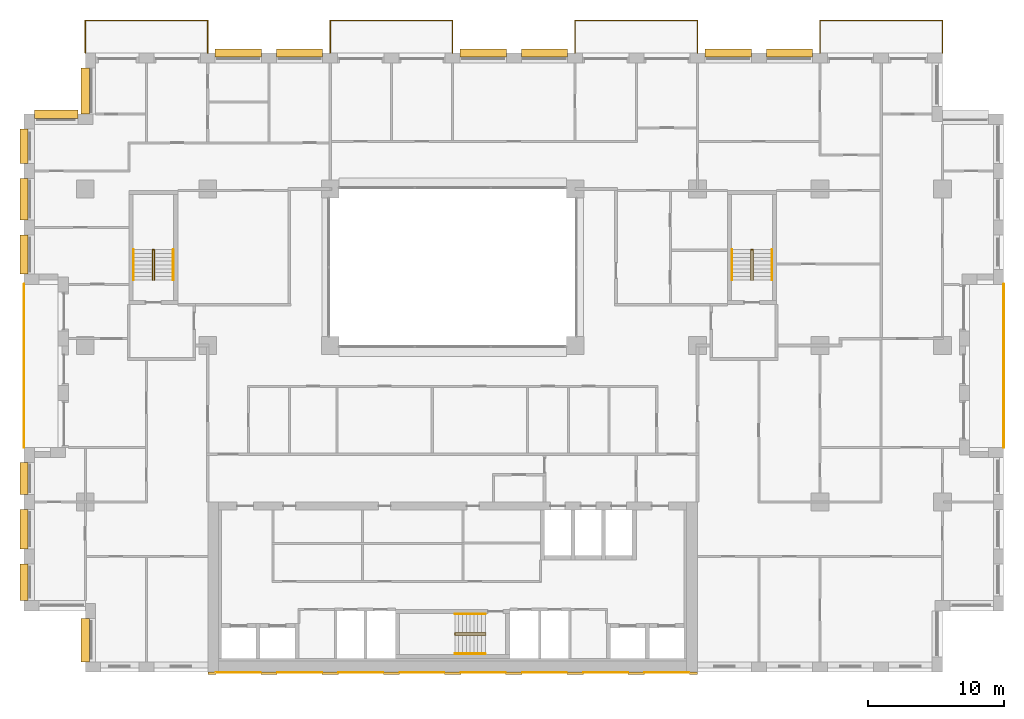
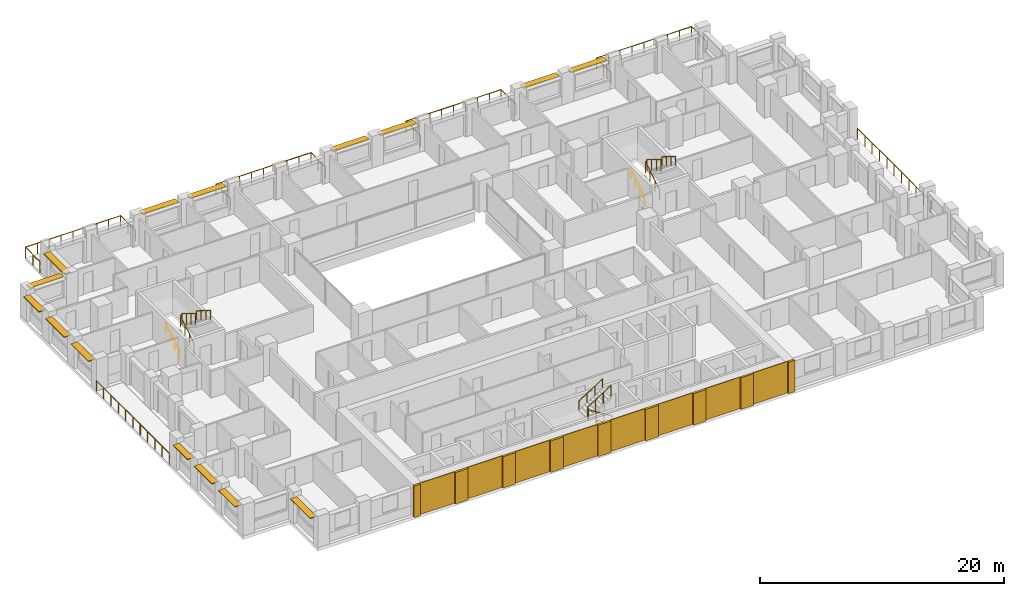
# One storey, part 16 of 17: 17 coverings, 15 railings, 15 shading devices.
"""IFC4 building model written with IfcOpenShell, lengths in metres."""

from ifc_helpers import new_model, si_unit, direction, frame, origin, origin_2d, place, context, subcontext, project, spatial, rectangle, circle, extrude, material, layer, layer_set, type_object, element, save


model = new_model("IFC4")

# Units and contexts
model_context = context("Model", 3, precision=1e-05, world=origin(), true_north=direction((0.0, 1.0)))
body_context = subcontext(model_context, "Body", "Model", "MODEL_VIEW")
ifc_project = project(units=[si_unit("LENGTHUNIT", "METRE"), si_unit("AREAUNIT", "SQUARE_METRE"), si_unit("VOLUMEUNIT", "CUBIC_METRE"), si_unit("PLANEANGLEUNIT", "RADIAN"), si_unit("MASSUNIT", "GRAM", prefix="KILO")], contexts=[model_context])

# Site, building, storey
site_placement = place(None, origin())
site = spatial("IfcSite", under=ifc_project, at=site_placement, CompositionType="ELEMENT")
building_placement = place(site_placement, origin())
building = spatial("IfcBuilding", under=site, at=building_placement, Name="Brigalow Station Residences", CompositionType="ELEMENT")
storey_placement = place(building_placement, frame((0.0, 0.0, 127.64990234375)))
storey = spatial("IfcBuildingStorey", under=building, at=storey_placement, Name="L37", CompositionType="ELEMENT", Elevation=127.64990234375)

# Railings
ifc_material_1 = material(Name="Stainless steel balustrade with laminated glass infill", Category="steel")
railing_type_1 = type_object("IfcRailingType", Name="BALCONY GUARD 1100", PredefinedType="GUARDRAIL", material=ifc_material_1)
railing_1_placement = place(storey_placement, frame((76.5, 16.5, -0.039794921875)))
element("IfcRailing", 1, at=railing_1_placement, inside=storey, type_object=railing_type_1, Name="L37/balcony-guard/1", PredefinedType="GUARDRAIL", context=body_context, shape_type="SweptSolid", body=[
    extrude(circle(Radius=0.02392578125, at=origin_2d()), frame((0.0, 0.0, 1.076171875), z_axis=(0.0, 1.0, 0.0), x_axis=(-1.0, 0.0, 0.0)), (0.0, 0.0, 1.0), 12.0),
    extrude(circle(Radius=0.02099609375, at=origin_2d()), origin(), (0.0, 0.0, 1.0), 1.052001953125),
    extrude(circle(Radius=0.02099609375, at=origin_2d()), frame((0.0, 1.199951171875, 0.0)), (0.0, 0.0, 1.0), 1.052001953125),
    extrude(circle(Radius=0.02099609375, at=origin_2d()), frame((0.0, 2.39990234375, 0.0)), (0.0, 0.0, 1.0), 1.052001953125),
    extrude(circle(Radius=0.02099609375, at=origin_2d()), frame((0.0, 3.60009765625, 0.0)), (0.0, 0.0, 1.0), 1.052001953125),
    extrude(circle(Radius=0.02099609375, at=origin_2d()), frame((0.0, 4.800048828125, 0.0)), (0.0, 0.0, 1.0), 1.052001953125),
    extrude(circle(Radius=0.02099609375, at=origin_2d()), frame((0.0, 6.0, 0.0)), (0.0, 0.0, 1.0), 1.052001953125),
    extrude(circle(Radius=0.02099609375, at=origin_2d()), frame((0.0, 7.199951171875, 0.0)), (0.0, 0.0, 1.0), 1.052001953125),
    extrude(circle(Radius=0.02099609375, at=origin_2d()), frame((0.0, 8.39990234375, 0.0)), (0.0, 0.0, 1.0), 1.052001953125),
    extrude(circle(Radius=0.02099609375, at=origin_2d()), frame((0.0, 9.60009765625, 0.0)), (0.0, 0.0, 1.0), 1.052001953125),
    extrude(circle(Radius=0.02099609375, at=origin_2d()), frame((0.0, 10.800048828125, 0.0)), (0.0, 0.0, 1.0), 1.052001953125),
    extrude(circle(Radius=0.02099609375, at=origin_2d()), frame((0.0, 12.0, 0.0)), (0.0, 0.0, 1.0), 1.052001953125),
])
railing_2_placement = place(storey_placement, frame((72.0, 45.5, -0.039794921875)))
element("IfcRailing", 2, at=railing_2_placement, inside=storey, type_object=railing_type_1, Name="L37/balcony-guard/2", PredefinedType="GUARDRAIL", context=body_context, shape_type="SweptSolid", body=[
    extrude(circle(Radius=0.02392578125, at=origin_2d()), frame((0.0, 0.0, 1.076171875), z_axis=(0.0, 1.0, 0.0), x_axis=(-1.0, 0.0, 0.0)), (0.0, 0.0, 1.0), 2.39990234375),
    extrude(circle(Radius=0.02392578125, at=origin_2d()), frame((0.0, 2.39990234375, 1.076171875), z_axis=(-1.0, 0.0, 0.0), x_axis=(0.0, -1.0, 0.0)), (0.0, 0.0, 1.0), 9.0),
    extrude(circle(Radius=0.02392578125, at=origin_2d()), frame((-9.0, 2.39990234375, 1.076171875), z_axis=(0.0, -1.0, 0.0), x_axis=(1.0, 0.0, 0.0)), (0.0, 0.0, 1.0), 2.39990234375),
    extrude(circle(Radius=0.02099609375, at=origin_2d()), origin(), (0.0, 0.0, 1.0), 1.052001953125),
    extrude(circle(Radius=0.02099609375, at=origin_2d()), frame((0.0, 1.199951171875, 0.0)), (0.0, 0.0, 1.0), 1.052001953125),
    extrude(circle(Radius=0.02099609375, at=origin_2d()), frame((0.0, 2.39990234375, 0.0)), (0.0, 0.0, 1.0), 1.052001953125),
    extrude(circle(Radius=0.02099609375, at=origin_2d()), frame((-1.125, 2.39990234375, 0.0)), (0.0, 0.0, 1.0), 1.052001953125),
    extrude(circle(Radius=0.02099609375, at=origin_2d()), frame((-2.25, 2.39990234375, 0.0)), (0.0, 0.0, 1.0), 1.052001953125),
    extrude(circle(Radius=0.02099609375, at=origin_2d()), frame((-3.375, 2.39990234375, 0.0)), (0.0, 0.0, 1.0), 1.052001953125),
    extrude(circle(Radius=0.02099609375, at=origin_2d()), frame((-4.5, 2.39990234375, 0.0)), (0.0, 0.0, 1.0), 1.052001953125),
    extrude(circle(Radius=0.02099609375, at=origin_2d()), frame((-5.625, 2.39990234375, 0.0)), (0.0, 0.0, 1.0), 1.052001953125),
    extrude(circle(Radius=0.02099609375, at=origin_2d()), frame((-6.75, 2.39990234375, 0.0)), (0.0, 0.0, 1.0), 1.052001953125),
    extrude(circle(Radius=0.02099609375, at=origin_2d()), frame((-7.875, 2.39990234375, 0.0)), (0.0, 0.0, 1.0), 1.052001953125),
    extrude(circle(Radius=0.02099609375, at=origin_2d()), frame((-9.0, 2.39990234375, 0.0)), (0.0, 0.0, 1.0), 1.052001953125),
    extrude(circle(Radius=0.02099609375, at=origin_2d()), frame((-9.0, 1.199951171875, 0.0)), (0.0, 0.0, 1.0), 1.052001953125),
    extrude(circle(Radius=0.02099609375, at=origin_2d()), frame((-9.0, 0.0, 0.0)), (0.0, 0.0, 1.0), 1.052001953125),
])
railing_3_placement = place(storey_placement, frame((54.0, 45.5, -0.039794921875)))
element("IfcRailing", 3, at=railing_3_placement, inside=storey, type_object=railing_type_1, Name="L37/balcony-guard/3", PredefinedType="GUARDRAIL", context=body_context, shape_type="SweptSolid", body=[
    extrude(circle(Radius=0.02392578125, at=origin_2d()), frame((0.0, 0.0, 1.076171875), z_axis=(0.0, 1.0, 0.0), x_axis=(-1.0, 0.0, 0.0)), (0.0, 0.0, 1.0), 2.39990234375),
    extrude(circle(Radius=0.02392578125, at=origin_2d()), frame((0.0, 2.39990234375, 1.076171875), z_axis=(-1.0, 0.0, 0.0), x_axis=(0.0, -1.0, 0.0)), (0.0, 0.0, 1.0), 9.0),
    extrude(circle(Radius=0.02392578125, at=origin_2d()), frame((-9.0, 2.39990234375, 1.076171875), z_axis=(0.0, -1.0, 0.0), x_axis=(1.0, 0.0, 0.0)), (0.0, 0.0, 1.0), 2.39990234375),
    extrude(circle(Radius=0.02099609375, at=origin_2d()), origin(), (0.0, 0.0, 1.0), 1.052001953125),
    extrude(circle(Radius=0.02099609375, at=origin_2d()), frame((0.0, 1.199951171875, 0.0)), (0.0, 0.0, 1.0), 1.052001953125),
    extrude(circle(Radius=0.02099609375, at=origin_2d()), frame((0.0, 2.39990234375, 0.0)), (0.0, 0.0, 1.0), 1.052001953125),
    extrude(circle(Radius=0.02099609375, at=origin_2d()), frame((-1.125, 2.39990234375, 0.0)), (0.0, 0.0, 1.0), 1.052001953125),
    extrude(circle(Radius=0.02099609375, at=origin_2d()), frame((-2.25, 2.39990234375, 0.0)), (0.0, 0.0, 1.0), 1.052001953125),
    extrude(circle(Radius=0.02099609375, at=origin_2d()), frame((-3.375, 2.39990234375, 0.0)), (0.0, 0.0, 1.0), 1.052001953125),
    extrude(circle(Radius=0.02099609375, at=origin_2d()), frame((-4.5, 2.39990234375, 0.0)), (0.0, 0.0, 1.0), 1.052001953125),
    extrude(circle(Radius=0.02099609375, at=origin_2d()), frame((-5.625, 2.39990234375, 0.0)), (0.0, 0.0, 1.0), 1.052001953125),
    extrude(circle(Radius=0.02099609375, at=origin_2d()), frame((-6.75, 2.39990234375, 0.0)), (0.0, 0.0, 1.0), 1.052001953125),
    extrude(circle(Radius=0.02099609375, at=origin_2d()), frame((-7.875, 2.39990234375, 0.0)), (0.0, 0.0, 1.0), 1.052001953125),
    extrude(circle(Radius=0.02099609375, at=origin_2d()), frame((-9.0, 2.39990234375, 0.0)), (0.0, 0.0, 1.0), 1.052001953125),
    extrude(circle(Radius=0.02099609375, at=origin_2d()), frame((-9.0, 1.199951171875, 0.0)), (0.0, 0.0, 1.0), 1.052001953125),
    extrude(circle(Radius=0.02099609375, at=origin_2d()), frame((-9.0, 0.0, 0.0)), (0.0, 0.0, 1.0), 1.052001953125),
])
railing_4_placement = place(storey_placement, frame((36.0, 45.5, -0.039794921875)))
element("IfcRailing", 4, at=railing_4_placement, inside=storey, type_object=railing_type_1, Name="L37/balcony-guard/4", PredefinedType="GUARDRAIL", context=body_context, shape_type="SweptSolid", body=[
    extrude(circle(Radius=0.02392578125, at=origin_2d()), frame((0.0, 0.0, 1.076171875), z_axis=(0.0, 1.0, 0.0), x_axis=(-1.0, 0.0, 0.0)), (0.0, 0.0, 1.0), 2.39990234375),
    extrude(circle(Radius=0.02392578125, at=origin_2d()), frame((0.0, 2.39990234375, 1.076171875), z_axis=(-1.0, 0.0, 0.0), x_axis=(0.0, -1.0, 0.0)), (0.0, 0.0, 1.0), 9.0),
    extrude(circle(Radius=0.02392578125, at=origin_2d()), frame((-9.0, 2.39990234375, 1.076171875), z_axis=(0.0, -1.0, 0.0), x_axis=(1.0, 0.0, 0.0)), (0.0, 0.0, 1.0), 2.39990234375),
    extrude(circle(Radius=0.02099609375, at=origin_2d()), origin(), (0.0, 0.0, 1.0), 1.052001953125),
    extrude(circle(Radius=0.02099609375, at=origin_2d()), frame((0.0, 1.199951171875, 0.0)), (0.0, 0.0, 1.0), 1.052001953125),
    extrude(circle(Radius=0.02099609375, at=origin_2d()), frame((0.0, 2.39990234375, 0.0)), (0.0, 0.0, 1.0), 1.052001953125),
    extrude(circle(Radius=0.02099609375, at=origin_2d()), frame((-1.125, 2.39990234375, 0.0)), (0.0, 0.0, 1.0), 1.052001953125),
    extrude(circle(Radius=0.02099609375, at=origin_2d()), frame((-2.25, 2.39990234375, 0.0)), (0.0, 0.0, 1.0), 1.052001953125),
    extrude(circle(Radius=0.02099609375, at=origin_2d()), frame((-3.375, 2.39990234375, 0.0)), (0.0, 0.0, 1.0), 1.052001953125),
    extrude(circle(Radius=0.02099609375, at=origin_2d()), frame((-4.5, 2.39990234375, 0.0)), (0.0, 0.0, 1.0), 1.052001953125),
    extrude(circle(Radius=0.02099609375, at=origin_2d()), frame((-5.625, 2.39990234375, 0.0)), (0.0, 0.0, 1.0), 1.052001953125),
    extrude(circle(Radius=0.02099609375, at=origin_2d()), frame((-6.75, 2.39990234375, 0.0)), (0.0, 0.0, 1.0), 1.052001953125),
    extrude(circle(Radius=0.02099609375, at=origin_2d()), frame((-7.875, 2.39990234375, 0.0)), (0.0, 0.0, 1.0), 1.052001953125),
    extrude(circle(Radius=0.02099609375, at=origin_2d()), frame((-9.0, 2.39990234375, 0.0)), (0.0, 0.0, 1.0), 1.052001953125),
    extrude(circle(Radius=0.02099609375, at=origin_2d()), frame((-9.0, 1.199951171875, 0.0)), (0.0, 0.0, 1.0), 1.052001953125),
    extrude(circle(Radius=0.02099609375, at=origin_2d()), frame((-9.0, 0.0, 0.0)), (0.0, 0.0, 1.0), 1.052001953125),
])
railing_5_placement = place(storey_placement, frame((18.0, 45.5, -0.039794921875)))
element("IfcRailing", 5, at=railing_5_placement, inside=storey, type_object=railing_type_1, Name="L37/balcony-guard/5", PredefinedType="GUARDRAIL", context=body_context, shape_type="SweptSolid", body=[
    extrude(circle(Radius=0.02392578125, at=origin_2d()), frame((0.0, 0.0, 1.076171875), z_axis=(0.0, 1.0, 0.0), x_axis=(-1.0, 0.0, 0.0)), (0.0, 0.0, 1.0), 2.39990234375),
    extrude(circle(Radius=0.02392578125, at=origin_2d()), frame((0.0, 2.39990234375, 1.076171875), z_axis=(-1.0, 0.0, 0.0), x_axis=(0.0, -1.0, 0.0)), (0.0, 0.0, 1.0), 9.0),
    extrude(circle(Radius=0.02392578125, at=origin_2d()), frame((-9.0, 2.39990234375, 1.076171875), z_axis=(0.0, -1.0, 0.0), x_axis=(1.0, 0.0, 0.0)), (0.0, 0.0, 1.0), 2.39990234375),
    extrude(circle(Radius=0.02099609375, at=origin_2d()), origin(), (0.0, 0.0, 1.0), 1.052001953125),
    extrude(circle(Radius=0.02099609375, at=origin_2d()), frame((0.0, 1.199951171875, 0.0)), (0.0, 0.0, 1.0), 1.052001953125),
    extrude(circle(Radius=0.02099609375, at=origin_2d()), frame((0.0, 2.39990234375, 0.0)), (0.0, 0.0, 1.0), 1.052001953125),
    extrude(circle(Radius=0.02099609375, at=origin_2d()), frame((-1.125, 2.39990234375, 0.0)), (0.0, 0.0, 1.0), 1.052001953125),
    extrude(circle(Radius=0.02099609375, at=origin_2d()), frame((-2.25, 2.39990234375, 0.0)), (0.0, 0.0, 1.0), 1.052001953125),
    extrude(circle(Radius=0.02099609375, at=origin_2d()), frame((-3.375, 2.39990234375, 0.0)), (0.0, 0.0, 1.0), 1.052001953125),
    extrude(circle(Radius=0.02099609375, at=origin_2d()), frame((-4.5, 2.39990234375, 0.0)), (0.0, 0.0, 1.0), 1.052001953125),
    extrude(circle(Radius=0.02099609375, at=origin_2d()), frame((-5.625, 2.39990234375, 0.0)), (0.0, 0.0, 1.0), 1.052001953125),
    extrude(circle(Radius=0.02099609375, at=origin_2d()), frame((-6.75, 2.39990234375, 0.0)), (0.0, 0.0, 1.0), 1.052001953125),
    extrude(circle(Radius=0.02099609375, at=origin_2d()), frame((-7.875, 2.39990234375, 0.0)), (0.0, 0.0, 1.0), 1.052001953125),
    extrude(circle(Radius=0.02099609375, at=origin_2d()), frame((-9.0, 2.39990234375, 0.0)), (0.0, 0.0, 1.0), 1.052001953125),
    extrude(circle(Radius=0.02099609375, at=origin_2d()), frame((-9.0, 1.199951171875, 0.0)), (0.0, 0.0, 1.0), 1.052001953125),
    extrude(circle(Radius=0.02099609375, at=origin_2d()), frame((-9.0, 0.0, 0.0)), (0.0, 0.0, 1.0), 1.052001953125),
])
railing_6_placement = place(storey_placement, frame((4.5, 28.5, -0.039794921875)))
element("IfcRailing", 6, at=railing_6_placement, inside=storey, type_object=railing_type_1, Name="L37/balcony-guard/6", PredefinedType="GUARDRAIL", context=body_context, shape_type="SweptSolid", body=[
    extrude(circle(Radius=0.02392578125, at=origin_2d()), frame((0.0, 0.0, 1.076171875), z_axis=(0.0, -1.0, 0.0), x_axis=(1.0, 0.0, 0.0)), (0.0, 0.0, 1.0), 12.0),
    extrude(circle(Radius=0.02099609375, at=origin_2d()), origin(), (0.0, 0.0, 1.0), 1.052001953125),
    extrude(circle(Radius=0.02099609375, at=origin_2d()), frame((0.0, -1.199951171875, 0.0)), (0.0, 0.0, 1.0), 1.052001953125),
    extrude(circle(Radius=0.02099609375, at=origin_2d()), frame((0.0, -2.39990234375, 0.0)), (0.0, 0.0, 1.0), 1.052001953125),
    extrude(circle(Radius=0.02099609375, at=origin_2d()), frame((0.0, -3.60009765625, 0.0)), (0.0, 0.0, 1.0), 1.052001953125),
    extrude(circle(Radius=0.02099609375, at=origin_2d()), frame((0.0, -4.800048828125, 0.0)), (0.0, 0.0, 1.0), 1.052001953125),
    extrude(circle(Radius=0.02099609375, at=origin_2d()), frame((0.0, -6.0, 0.0)), (0.0, 0.0, 1.0), 1.052001953125),
    extrude(circle(Radius=0.02099609375, at=origin_2d()), frame((0.0, -7.199951171875, 0.0)), (0.0, 0.0, 1.0), 1.052001953125),
    extrude(circle(Radius=0.02099609375, at=origin_2d()), frame((0.0, -8.39990234375, 0.0)), (0.0, 0.0, 1.0), 1.052001953125),
    extrude(circle(Radius=0.02099609375, at=origin_2d()), frame((0.0, -9.60009765625, 0.0)), (0.0, 0.0, 1.0), 1.052001953125),
    extrude(circle(Radius=0.02099609375, at=origin_2d()), frame((0.0, -10.800048828125, 0.0)), (0.0, 0.0, 1.0), 1.052001953125),
    extrude(circle(Radius=0.02099609375, at=origin_2d()), frame((0.0, -12.0, 0.0)), (0.0, 0.0, 1.0), 1.052001953125),
])

# Coverings
ifc_material_2 = material(Name="Clay brick masonry", Category="masonry")
ifc_layer_1 = layer(ifc_material_2, 0.06005859375)
ifc_layer_set_1 = layer_set([ifc_layer_1], Name="BRICK PANEL FACING 60")
covering_type_1 = type_object("IfcCoveringType", Name="BRICK PANEL FACING 60", PredefinedType="CLADDING", material=ifc_layer_set_1)
for number, where, z_axis, x_axis, name in (
    (7, (20.25, -0.030029296875, 0.000244140625), (0.0, 0.0, 1.0), (1.0, 0.0, 0.0), "L37/rear-facing/panel-1"),
    (8, (24.75, -0.030029296875, 0.000244140625), (0.0, 0.0, 1.0), (1.0, 0.0, 0.0), "L37/rear-facing/panel-2"),
    (9, (29.25, -0.030029296875, 0.000244140625), (0.0, 0.0, 1.0), (1.0, 0.0, 0.0), "L37/rear-facing/panel-3"),
    (10, (33.75, -0.030029296875, 0.000244140625), (0.0, 0.0, 1.0), (1.0, 0.0, 0.0), "L37/rear-facing/panel-4"),
    (11, (38.25, -0.030029296875, 0.000244140625), (0.0, 0.0, 1.0), (1.0, 0.0, 0.0), "L37/rear-facing/panel-5"),
    (12, (42.75, -0.030029296875, 0.000244140625), (0.0, 0.0, 1.0), (1.0, 0.0, 0.0), "L37/rear-facing/panel-6"),
    (13, (47.25, -0.030029296875, 0.000244140625), (0.0, 0.0, 1.0), (1.0, 0.0, 0.0), "L37/rear-facing/panel-7"),
    (14, (51.75, -0.030029296875, 0.000244140625), (0.0, 0.0, 1.0), (1.0, 0.0, 0.0), "L37/rear-facing/panel-8"),
):
    element("IfcCovering", number, at=place(storey_placement, frame(where, z_axis=z_axis, x_axis=x_axis)), inside=storey, type_object=covering_type_1, Name=name, PredefinedType="CLADDING", context=body_context, shape_type="SweptSolid", body=[
        extrude(rectangle(XDim=3.300048828125, YDim=0.06005859375, at=origin_2d()), origin(), (0.0, 0.0, 1.0), 3.14990234375),
    ])
ifc_material_3 = material(Name="Clay brick masonry", Category="masonry")
ifc_layer_2 = layer(ifc_material_3, 0.199951171875)
ifc_layer_set_2 = layer_set([ifc_layer_2], Name="BRICK PIER FACING 200")
covering_type_2 = type_object("IfcCoveringType", Name="BRICK PIER FACING 200", PredefinedType="CLADDING", material=ifc_layer_set_2)
covering_1_placement = place(storey_placement, frame((18.300048828125, -0.10009765625, 0.000244140625), z_axis=(0.0, 0.0, 1.0), x_axis=(1.0, 0.0, 0.0)))
element("IfcCovering", 15, at=covering_1_placement, inside=storey, type_object=covering_type_2, Name="L37/rear-facing/pier-1", PredefinedType="CLADDING", context=body_context, shape_type="SweptSolid", body=[
    extrude(rectangle(XDim=0.60009765625, YDim=0.199951171875, at=origin_2d()), origin(), (0.0, 0.0, 1.0), 3.14990234375),
])
for number, where, z_axis, x_axis, name in (
    (16, (22.5, -0.10009765625, 0.000244140625), (0.0, 0.0, 1.0), (1.0, 0.0, 0.0), "L37/rear-facing/pier-2"),
    (17, (27.0, -0.10009765625, 0.000244140625), (0.0, 0.0, 1.0), (1.0, 0.0, 0.0), "L37/rear-facing/pier-3"),
    (18, (31.5, -0.10009765625, 0.000244140625), (0.0, 0.0, 1.0), (1.0, 0.0, 0.0), "L37/rear-facing/pier-4"),
    (19, (36.0, -0.10009765625, 0.000244140625), (0.0, 0.0, 1.0), (1.0, 0.0, 0.0), "L37/rear-facing/pier-5"),
    (20, (40.5, -0.10009765625, 0.000244140625), (0.0, 0.0, 1.0), (1.0, 0.0, 0.0), "L37/rear-facing/pier-6"),
    (21, (45.0, -0.10009765625, 0.000244140625), (0.0, 0.0, 1.0), (1.0, 0.0, 0.0), "L37/rear-facing/pier-7"),
    (22, (49.5, -0.10009765625, 0.000244140625), (0.0, 0.0, 1.0), (1.0, 0.0, 0.0), "L37/rear-facing/pier-8"),
):
    element("IfcCovering", number, at=place(storey_placement, frame(where, z_axis=z_axis, x_axis=x_axis)), inside=storey, type_object=covering_type_2, Name=name, PredefinedType="CLADDING", context=body_context, shape_type="SweptSolid", body=[
        extrude(rectangle(XDim=1.199951171875, YDim=0.199951171875, at=origin_2d()), origin(), (0.0, 0.0, 1.0), 3.14990234375),
    ])
covering_2_placement = place(storey_placement, frame((53.699951171875, -0.10009765625, 0.000244140625), z_axis=(0.0, 0.0, 1.0), x_axis=(1.0, 0.0, 0.0)))
element("IfcCovering", 23, at=covering_2_placement, inside=storey, type_object=covering_type_2, Name="L37/rear-facing/pier-9", PredefinedType="CLADDING", context=body_context, shape_type="SweptSolid", body=[
    extrude(rectangle(XDim=0.60009765625, YDim=0.199951171875, at=origin_2d()), origin(), (0.0, 0.0, 1.0), 3.14990234375),
])

# Railings
ifc_material_4 = material(Name="Stainless steel balustrade", Category="steel")
railing_type_2 = type_object("IfcRailingType", Name="STAIR GUARD 1100", PredefinedType="GUARDRAIL", material=ifc_material_4)
railing_7_placement = place(storey_placement, frame((38.39990234375, 2.72998046875, 0.175048828125)))
element("IfcRailing", 24, at=railing_7_placement, inside=storey, type_object=railing_type_2, Name="GUARD GR-2", PredefinedType="GUARDRAIL", context=body_context, shape_type="SweptSolid", body=[
    extrude(circle(Radius=0.02392578125, at=origin_2d()), frame((0.0, 0.0, 1.076171875), z_axis=(-0.847972341737, 0.0, 0.530040477369), x_axis=(0.0, -1.0, 0.0)), (0.0, 0.0, 1.0), 2.6416015625),
    extrude(circle(Radius=0.02392578125, at=origin_2d()), frame((-2.239990234375, 0.0, 2.47607421875), z_axis=(0.0, 0.62549206879, 0.780230524833), x_axis=(-1.0, 0.0, 0.0)), (0.0, 0.0, 1.0), 0.22412109375),
    extrude(circle(Radius=0.02392578125, at=origin_2d()), frame((-2.239990234375, 0.14013671875, 2.65087890625), z_axis=(0.847972341737, 0.0, 0.530040477369), x_axis=(0.0, 1.0, 0.0)), (0.0, 0.0, 1.0), 2.6416015625),
    extrude(circle(Radius=0.02099609375, at=origin_2d()), origin(), (0.0, 0.0, 1.0), 1.052001953125),
    extrude(circle(Radius=0.02099609375, at=origin_2d()), frame((-0.74658203125, 0.0, 0.466796875)), (0.0, 0.0, 1.0), 1.052001953125),
    extrude(circle(Radius=0.02099609375, at=origin_2d()), frame((-1.493408203125, 0.0, 0.933349609375)), (0.0, 0.0, 1.0), 1.052001953125),
    extrude(circle(Radius=0.02099609375, at=origin_2d()), frame((-2.239990234375, 0.0, 1.400146484375)), (0.0, 0.0, 1.0), 1.052001953125),
    extrude(circle(Radius=0.02099609375, at=origin_2d()), frame((-2.239990234375, 0.14013671875, 1.574951171875)), (0.0, 0.0, 1.0), 1.052001953125),
    extrude(circle(Radius=0.02099609375, at=origin_2d()), frame((-1.493408203125, 0.14013671875, 2.041748046875)), (0.0, 0.0, 1.0), 1.052001953125),
    extrude(circle(Radius=0.02099609375, at=origin_2d()), frame((-0.74658203125, 0.14013671875, 2.50830078125)), (0.0, 0.0, 1.0), 1.052001953125),
    extrude(circle(Radius=0.02099609375, at=origin_2d()), frame((0.0, 0.14013671875, 2.97509765625)), (0.0, 0.0, 1.0), 1.052001953125),
])
for number, where, name in (
    (25, (13.929931640625, 28.800048828125, 0.175048828125), "GUARD GR-1"),
    (26, (57.929931640625, 28.800048828125, 0.175048828125), "GUARD GR-3"),
):
    element("IfcRailing", number, at=place(storey_placement, frame(where)), inside=storey, type_object=railing_type_2, Name=name, PredefinedType="GUARDRAIL", context=body_context, shape_type="SweptSolid", body=[
        extrude(circle(Radius=0.02392578125, at=origin_2d()), frame((0.0, 0.0, 1.076171875), z_axis=(0.0, 0.847972341737, 0.530040477369), x_axis=(-1.0, 0.0, 0.0)), (0.0, 0.0, 1.0), 2.6416015625),
        extrude(circle(Radius=0.02392578125, at=origin_2d()), frame((0.0, 2.239990234375, 2.47607421875), z_axis=(0.62549206879, 0.0, 0.780230524833), x_axis=(0.0, 1.0, 0.0)), (0.0, 0.0, 1.0), 0.22412109375),
        extrude(circle(Radius=0.02392578125, at=origin_2d()), frame((0.14013671875, 2.239990234375, 2.65087890625), z_axis=(0.0, -0.847972341737, 0.530040477369), x_axis=(1.0, 0.0, 0.0)), (0.0, 0.0, 1.0), 2.6416015625),
        extrude(circle(Radius=0.02099609375, at=origin_2d()), origin(), (0.0, 0.0, 1.0), 1.052001953125),
        extrude(circle(Radius=0.02099609375, at=origin_2d()), frame((0.0, 0.74658203125, 0.466796875)), (0.0, 0.0, 1.0), 1.052001953125),
        extrude(circle(Radius=0.02099609375, at=origin_2d()), frame((0.0, 1.493408203125, 0.933349609375)), (0.0, 0.0, 1.0), 1.052001953125),
        extrude(circle(Radius=0.02099609375, at=origin_2d()), frame((0.0, 2.239990234375, 1.400146484375)), (0.0, 0.0, 1.0), 1.052001953125),
        extrude(circle(Radius=0.02099609375, at=origin_2d()), frame((0.14013671875, 2.239990234375, 1.574951171875)), (0.0, 0.0, 1.0), 1.052001953125),
        extrude(circle(Radius=0.02099609375, at=origin_2d()), frame((0.14013671875, 1.493408203125, 2.041748046875)), (0.0, 0.0, 1.0), 1.052001953125),
        extrude(circle(Radius=0.02099609375, at=origin_2d()), frame((0.14013671875, 0.74658203125, 2.50830078125)), (0.0, 0.0, 1.0), 1.052001953125),
        extrude(circle(Radius=0.02099609375, at=origin_2d()), frame((0.14013671875, 0.0, 2.97509765625)), (0.0, 0.0, 1.0), 1.052001953125),
    ])
ifc_material_5 = material(Name="Stainless steel handrail", Category="steel")
railing_type_3 = type_object("IfcRailingType", Name="STAIR HANDRAIL 900", PredefinedType="HANDRAIL", material=ifc_material_5)
railing_8_placement = place(storey_placement, frame((38.39990234375, 1.340087890625, 0.175048828125)))
element("IfcRailing", 27, at=railing_8_placement, inside=storey, type_object=railing_type_3, Name="HANDRAIL HR-21", PredefinedType="HANDRAIL", context=body_context, shape_type="SweptSolid", body=[
    extrude(circle(Radius=0.02392578125, at=origin_2d()), frame((0.0, 0.0, 0.8759765625), z_axis=(-0.847972341737, 0.0, 0.530040477369), x_axis=(0.0, -1.0, 0.0)), (0.0, 0.0, 1.0), 2.6416015625),
    extrude(circle(Radius=0.02099609375, at=origin_2d()), origin(), (0.0, 0.0, 1.0), 0.851806640625),
    extrude(circle(Radius=0.02099609375, at=origin_2d()), frame((-0.74658203125, 0.0, 0.466796875)), (0.0, 0.0, 1.0), 0.851806640625),
    extrude(circle(Radius=0.02099609375, at=origin_2d()), frame((-1.493408203125, 0.0, 0.933349609375)), (0.0, 0.0, 1.0), 0.851806640625),
    extrude(circle(Radius=0.02099609375, at=origin_2d()), frame((-2.239990234375, 0.0, 1.400146484375)), (0.0, 0.0, 1.0), 0.851806640625),
])
railing_9_placement = place(storey_placement, frame((36.159912109375, 4.260009765625, 1.75)))
element("IfcRailing", 28, at=railing_9_placement, inside=storey, type_object=railing_type_3, Name="HANDRAIL HR-22", PredefinedType="HANDRAIL", context=body_context, shape_type="SweptSolid", body=[
    extrude(circle(Radius=0.02392578125, at=origin_2d()), frame((0.0, 0.0, 0.8759765625), z_axis=(0.847972341737, 0.0, 0.530040477369), x_axis=(0.0, 1.0, 0.0)), (0.0, 0.0, 1.0), 2.6416015625),
    extrude(circle(Radius=0.02099609375, at=origin_2d()), origin(), (0.0, 0.0, 1.0), 0.851806640625),
    extrude(circle(Radius=0.02099609375, at=origin_2d()), frame((0.74658203125, 0.0, 0.466796875)), (0.0, 0.0, 1.0), 0.851806640625),
    extrude(circle(Radius=0.02099609375, at=origin_2d()), frame((1.493408203125, 0.0, 0.933349609375)), (0.0, 0.0, 1.0), 0.851806640625),
    extrude(circle(Radius=0.02099609375, at=origin_2d()), frame((2.239990234375, 0.0, 1.400146484375)), (0.0, 0.0, 1.0), 0.851806640625),
])
railing_10_placement = place(storey_placement, frame((12.5400390625, 28.800048828125, 0.175048828125)))
element("IfcRailing", 29, at=railing_10_placement, inside=storey, type_object=railing_type_3, Name="HANDRAIL HR-11", PredefinedType="HANDRAIL", context=body_context, shape_type="SweptSolid", body=[
    extrude(circle(Radius=0.02392578125, at=origin_2d()), frame((0.0, 0.0, 0.8759765625), z_axis=(0.0, 0.847972341737, 0.530040477369), x_axis=(-1.0, 0.0, 0.0)), (0.0, 0.0, 1.0), 2.6416015625),
    extrude(circle(Radius=0.02099609375, at=origin_2d()), origin(), (0.0, 0.0, 1.0), 0.851806640625),
    extrude(circle(Radius=0.02099609375, at=origin_2d()), frame((0.0, 0.74658203125, 0.466796875)), (0.0, 0.0, 1.0), 0.851806640625),
    extrude(circle(Radius=0.02099609375, at=origin_2d()), frame((0.0, 1.493408203125, 0.933349609375)), (0.0, 0.0, 1.0), 0.851806640625),
    extrude(circle(Radius=0.02099609375, at=origin_2d()), frame((0.0, 2.239990234375, 1.400146484375)), (0.0, 0.0, 1.0), 0.851806640625),
])
railing_11_placement = place(storey_placement, frame((15.4599609375, 31.0400390625, 1.75)))
element("IfcRailing", 30, at=railing_11_placement, inside=storey, type_object=railing_type_3, Name="HANDRAIL HR-12", PredefinedType="HANDRAIL", context=body_context, shape_type="SweptSolid", body=[
    extrude(circle(Radius=0.02392578125, at=origin_2d()), frame((0.0, 0.0, 0.8759765625), z_axis=(0.0, -0.847972341737, 0.530040477369), x_axis=(1.0, 0.0, 0.0)), (0.0, 0.0, 1.0), 2.6416015625),
    extrude(circle(Radius=0.02099609375, at=origin_2d()), origin(), (0.0, 0.0, 1.0), 0.851806640625),
    extrude(circle(Radius=0.02099609375, at=origin_2d()), frame((0.0, -0.74658203125, 0.466796875)), (0.0, 0.0, 1.0), 0.851806640625),
    extrude(circle(Radius=0.02099609375, at=origin_2d()), frame((0.0, -1.493408203125, 0.933349609375)), (0.0, 0.0, 1.0), 0.851806640625),
    extrude(circle(Radius=0.02099609375, at=origin_2d()), frame((0.0, -2.239990234375, 1.400146484375)), (0.0, 0.0, 1.0), 0.851806640625),
])
railing_12_placement = place(storey_placement, frame((56.5400390625, 28.800048828125, 0.175048828125)))
element("IfcRailing", 31, at=railing_12_placement, inside=storey, type_object=railing_type_3, Name="HANDRAIL HR-31", PredefinedType="HANDRAIL", context=body_context, shape_type="SweptSolid", body=[
    extrude(circle(Radius=0.02392578125, at=origin_2d()), frame((0.0, 0.0, 0.8759765625), z_axis=(0.0, 0.847972341737, 0.530040477369), x_axis=(-1.0, 0.0, 0.0)), (0.0, 0.0, 1.0), 2.6416015625),
    extrude(circle(Radius=0.02099609375, at=origin_2d()), origin(), (0.0, 0.0, 1.0), 0.851806640625),
    extrude(circle(Radius=0.02099609375, at=origin_2d()), frame((0.0, 0.74658203125, 0.466796875)), (0.0, 0.0, 1.0), 0.851806640625),
    extrude(circle(Radius=0.02099609375, at=origin_2d()), frame((0.0, 1.493408203125, 0.933349609375)), (0.0, 0.0, 1.0), 0.851806640625),
    extrude(circle(Radius=0.02099609375, at=origin_2d()), frame((0.0, 2.239990234375, 1.400146484375)), (0.0, 0.0, 1.0), 0.851806640625),
])
railing_13_placement = place(storey_placement, frame((59.4599609375, 31.0400390625, 1.75)))
element("IfcRailing", 32, at=railing_13_placement, inside=storey, type_object=railing_type_3, Name="HANDRAIL HR-32", PredefinedType="HANDRAIL", context=body_context, shape_type="SweptSolid", body=[
    extrude(circle(Radius=0.02392578125, at=origin_2d()), frame((0.0, 0.0, 0.8759765625), z_axis=(0.0, -0.847972341737, 0.530040477369), x_axis=(1.0, 0.0, 0.0)), (0.0, 0.0, 1.0), 2.6416015625),
    extrude(circle(Radius=0.02099609375, at=origin_2d()), origin(), (0.0, 0.0, 1.0), 0.851806640625),
    extrude(circle(Radius=0.02099609375, at=origin_2d()), frame((0.0, -0.74658203125, 0.466796875)), (0.0, 0.0, 1.0), 0.851806640625),
    extrude(circle(Radius=0.02099609375, at=origin_2d()), frame((0.0, -1.493408203125, 0.933349609375)), (0.0, 0.0, 1.0), 0.851806640625),
    extrude(circle(Radius=0.02099609375, at=origin_2d()), frame((0.0, -2.239990234375, 1.400146484375)), (0.0, 0.0, 1.0), 0.851806640625),
])

# Shading devices
ifc_material_6 = material(Name="Powder-coated extruded aluminium blade", Category="aluminium")
ifc_layer_3 = layer(ifc_material_6, 0.080078125)
ifc_layer_set_3 = layer_set([ifc_layer_3], Name="SUNSHADE BLADE 600x80")
shading_device_type = type_object("IfcShadingDeviceType", Name="SUNSHADE BLADE 600x80", PredefinedType="JALOUSIE", material=ifc_layer_set_3)
for number, where, z_axis, x_axis, name in (
    (33, (60.75, 45.5, 2.550048828125), (0.0, 0.0, 1.0), (-1.0, 0.0, 0.0), "L37/blade/W-L37-25"),
    (34, (56.25, 45.5, 2.550048828125), (0.0, 0.0, 1.0), (-1.0, 0.0, 0.0), "L37/blade/W-L37-26"),
    (35, (42.75, 45.5, 2.550048828125), (0.0, 0.0, 1.0), (-1.0, 0.0, 0.0), "L37/blade/W-L37-29"),
    (36, (38.25, 45.5, 2.550048828125), (0.0, 0.0, 1.0), (-1.0, 0.0, 0.0), "L37/blade/W-L37-30"),
    (37, (24.75, 45.5, 2.550048828125), (0.0, 0.0, 1.0), (-1.0, 0.0, 0.0), "L37/blade/W-L37-33"),
    (38, (20.25, 45.5, 2.550048828125), (0.0, 0.0, 1.0), (-1.0, 0.0, 0.0), "L37/blade/W-L37-34"),
    (39, (9.0, 42.699951171875, 2.550048828125), (0.0, 0.0, 1.0), (0.0, -1.0, 0.0), "L37/blade/W-L37-37"),
):
    element("IfcShadingDevice", number, at=place(storey_placement, frame(where, z_axis=z_axis, x_axis=x_axis)), inside=storey, type_object=shading_device_type, Name=name, PredefinedType="JALOUSIE", context=body_context, shape_type="SweptSolid", body=[
        extrude(rectangle(XDim=3.39990234375, YDim=0.60009765625, at=origin_2d()), origin(), (0.0, 0.0, 1.0), 0.080078125),
    ])
shading_device_1_placement = place(storey_placement, frame((6.85009765625, 41.0, 2.550048828125), z_axis=(0.0, 0.0, 1.0), x_axis=(-1.0, 0.0, 0.0)))
element("IfcShadingDevice", 40, at=shading_device_1_placement, inside=storey, type_object=shading_device_type, Name="L37/blade/W-L37-38", PredefinedType="JALOUSIE", context=body_context, shape_type="SweptSolid", body=[
    extrude(rectangle(XDim=3.199951171875, YDim=0.60009765625, at=origin_2d()), origin(), (0.0, 0.0, 1.0), 0.080078125),
])
shading_device_2_placement = place(storey_placement, frame((4.5, 38.6416015625, 2.550048828125), z_axis=(0.0, 0.0, 1.0), x_axis=(0.0, -1.0, 0.0)))
element("IfcShadingDevice", 41, at=shading_device_2_placement, inside=storey, type_object=shading_device_type, Name="L37/blade/W-L37-39", PredefinedType="JALOUSIE", context=body_context, shape_type="SweptSolid", body=[
    extrude(rectangle(XDim=2.51708984375, YDim=0.60009765625, at=origin_2d()), origin(), (0.0, 0.0, 1.0), 0.080078125),
])
shading_device_3_placement = place(storey_placement, frame((4.5, 34.75, 2.550048828125), z_axis=(0.0, 0.0, 1.0), x_axis=(0.0, -1.0, 0.0)))
element("IfcShadingDevice", 42, at=shading_device_3_placement, inside=storey, type_object=shading_device_type, Name="L37/blade/W-L37-40", PredefinedType="JALOUSIE", context=body_context, shape_type="SweptSolid", body=[
    extrude(rectangle(XDim=3.06591796875, YDim=0.60009765625, at=origin_2d()), origin(), (0.0, 0.0, 1.0), 0.080078125),
])
shading_device_4_placement = place(storey_placement, frame((4.5, 30.68359375, 2.550048828125), z_axis=(0.0, 0.0, 1.0), x_axis=(0.0, -1.0, 0.0)))
element("IfcShadingDevice", 43, at=shading_device_4_placement, inside=storey, type_object=shading_device_type, Name="L37/blade/W-L37-41", PredefinedType="JALOUSIE", context=body_context, shape_type="SweptSolid", body=[
    extrude(rectangle(XDim=2.866943359375, YDim=0.60009765625, at=origin_2d()), origin(), (0.0, 0.0, 1.0), 0.080078125),
])
shading_device_5_placement = place(storey_placement, frame((4.5, 14.22509765625, 2.550048828125), z_axis=(0.0, 0.0, 1.0), x_axis=(0.0, -1.0, 0.0)))
element("IfcShadingDevice", 44, at=shading_device_5_placement, inside=storey, type_object=shading_device_type, Name="L37/blade/W-L37-47", PredefinedType="JALOUSIE", context=body_context, shape_type="SweptSolid", body=[
    extrude(rectangle(XDim=2.35009765625, YDim=0.60009765625, at=origin_2d()), origin(), (0.0, 0.0, 1.0), 0.080078125),
])
shading_device_6_placement = place(storey_placement, frame((4.5, 10.5, 2.550048828125), z_axis=(0.0, 0.0, 1.0), x_axis=(0.0, -1.0, 0.0)))
element("IfcShadingDevice", 45, at=shading_device_6_placement, inside=storey, type_object=shading_device_type, Name="L37/blade/W-L37-48", PredefinedType="JALOUSIE", context=body_context, shape_type="SweptSolid", body=[
    extrude(rectangle(XDim=2.89990234375, YDim=0.60009765625, at=origin_2d()), origin(), (0.0, 0.0, 1.0), 0.080078125),
])
shading_device_7_placement = place(storey_placement, frame((4.5, 6.60009765625, 2.550048828125), z_axis=(0.0, 0.0, 1.0), x_axis=(0.0, -1.0, 0.0)))
element("IfcShadingDevice", 46, at=shading_device_7_placement, inside=storey, type_object=shading_device_type, Name="L37/blade/W-L37-49", PredefinedType="JALOUSIE", context=body_context, shape_type="SweptSolid", body=[
    extrude(rectangle(XDim=2.699951171875, YDim=0.60009765625, at=origin_2d()), origin(), (0.0, 0.0, 1.0), 0.080078125),
])
shading_device_8_placement = place(storey_placement, frame((9.0, 2.35009765625, 2.550048828125), z_axis=(0.0, 0.0, 1.0), x_axis=(0.0, -1.0, 0.0)))
element("IfcShadingDevice", 47, at=shading_device_8_placement, inside=storey, type_object=shading_device_type, Name="L37/blade/W-L37-51", PredefinedType="JALOUSIE", context=body_context, shape_type="SweptSolid", body=[
    extrude(rectangle(XDim=3.199951171875, YDim=0.60009765625, at=origin_2d()), origin(), (0.0, 0.0, 1.0), 0.080078125),
])

save(model, "model.ifc")
